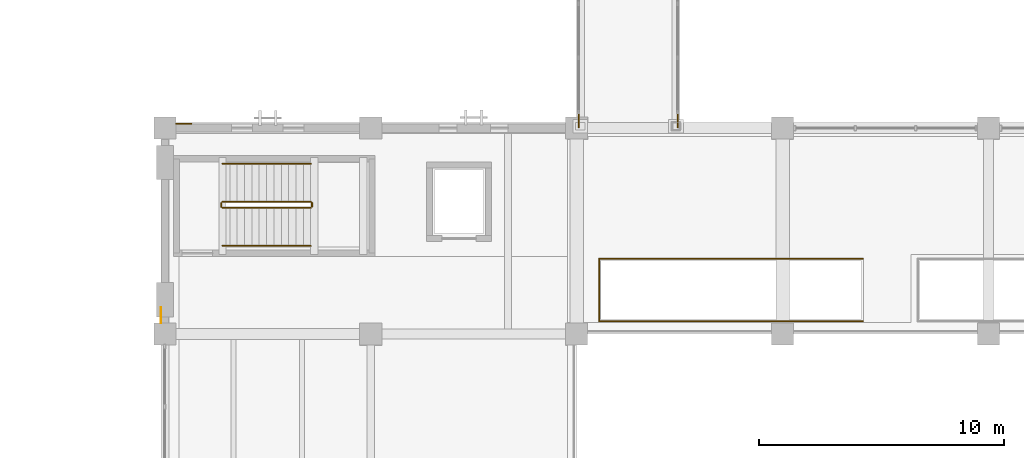
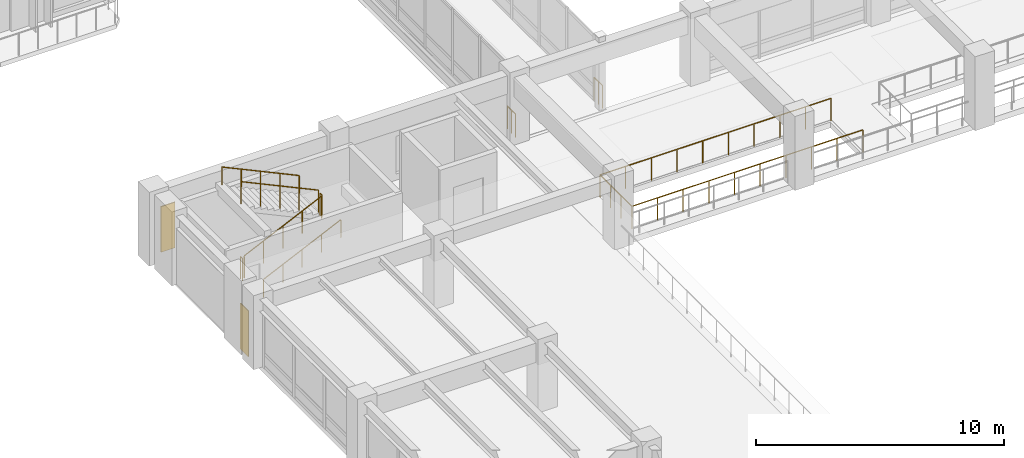
# One storey, part 92 of 118: 11 railings, 2 coverings.
"""IFC4 building model written with IfcOpenShell, lengths in metres."""

from ifc_helpers import new_model, si_unit, direction, frame, origin, origin_2d, place, context, subcontext, project, spatial, polyline, circle, outline, extrude, material, layer, layer_set, type_object, element, save


model = new_model("IFC4")

# Units and contexts
model_context = context("Model", 3, precision=1e-05, world=origin(), true_north=direction((0.0, 1.0)))
body_context = subcontext(model_context, "Body", "Model", "MODEL_VIEW")
ifc_project = project(units=[si_unit("LENGTHUNIT", "METRE"), si_unit("AREAUNIT", "SQUARE_METRE"), si_unit("VOLUMEUNIT", "CUBIC_METRE"), si_unit("PLANEANGLEUNIT", "RADIAN"), si_unit("MASSUNIT", "GRAM", prefix="KILO")], contexts=[model_context])

# Site, building, storey
site_placement = place(None, origin())
site = spatial("IfcSite", under=ifc_project, at=site_placement, CompositionType="ELEMENT")
building_placement = place(site_placement, origin())
building = spatial("IfcBuilding", under=site, at=building_placement, Name="Cumbredor Promenade Congress Hotel", CompositionType="ELEMENT")
storey_placement = place(building_placement, frame((0.0, 0.0, 3.919921875)))
storey = spatial("IfcBuildingStorey", under=building, at=storey_placement, Name="L01", CompositionType="ELEMENT", Elevation=3.919921875)

# Covering
ifc_material_1 = material(Name="Precast concrete C40/50", Category="concrete")
ifc_layer_1 = layer(ifc_material_1, 0.044921875, Name="Precast concrete C40/50", Category="concrete")
ifc_layer_set_1 = layer_set([ifc_layer_1], Name="Precast concrete C40/50")
covering_type_1 = type_object("IfcCoveringType", Name="Board-Formed Architectural Cladding Panel 45mm", PredefinedType="CLADDING", material=ifc_layer_set_1)
covering_1_placement = place(storey_placement, origin())
element("IfcCovering", 1, at=covering_1_placement, inside=storey, type_object=covering_type_1, Name="L01 Facade Stone Cladding Pier 048", PredefinedType="CLADDING", context=body_context, shape_type="SweptSolid", body=[
    extrude(outline(polyline([(8.85107421875, 67.362548828125), (9.5009765625, 67.362548828125), (9.5009765625, 67.407470703125), (8.85107421875, 67.407470703125), (8.85107421875, 67.362548828125)])), origin(), (0.0, 0.0, 1.0), 2.25),
])

# Railings
ifc_material_2 = material(Name="Brushed stainless steel", Category="steel")
railing_type_1 = type_object("IfcRailingType", Name="Interior Void & Stair Guardrail GR-1100", PredefinedType="GUARDRAIL", material=ifc_material_2)
railing_1_placement = place(storey_placement, frame((10.75, 63.949951171875, 0.14013671875)))
element("IfcRailing", 2, at=railing_1_placement, inside=storey, type_object=railing_type_1, Name="L01 ST-06 stair guard 1", PredefinedType="GUARDRAIL", context=body_context, shape_type="SweptSolid", body=[
    extrude(circle(Radius=0.02392578125, at=origin_2d()), frame((0.0, 0.0, 1.09619140625), z_axis=(0.906194129559, 0.0, 0.422861915468), x_axis=(0.0, 1.0, 0.0)), (0.0, 0.0, 1.0), 3.97265625),
    extrude(circle(Radius=0.02099609375, at=origin_2d()), origin(), (0.0, 0.0, 1.0), 1.072021484375),
    extrude(circle(Radius=0.02099609375, at=origin_2d()), frame((0.89990234375, 0.0, 0.419921875)), (0.0, 0.0, 1.0), 1.072021484375),
    extrude(circle(Radius=0.02099609375, at=origin_2d()), frame((1.800048828125, 0.0, 0.83984375)), (0.0, 0.0, 1.0), 1.072021484375),
    extrude(circle(Radius=0.02099609375, at=origin_2d()), frame((2.7001953125, 0.0, 1.260009765625)), (0.0, 0.0, 1.0), 1.072021484375),
    extrude(circle(Radius=0.02099609375, at=origin_2d()), frame((3.60009765625, 0.0, 1.679931640625)), (0.0, 0.0, 1.0), 1.072021484375),
])
railing_2_placement = place(storey_placement, frame((14.39990234375, 64.0, 1.820068359375)))
element("IfcRailing", 3, at=railing_2_placement, inside=storey, type_object=railing_type_1, Name="L01 ST-06 stair guard 2", PredefinedType="GUARDRAIL", context=body_context, shape_type="SweptSolid", body=[
    extrude(circle(Radius=0.02392578125, at=origin_2d()), frame((0.0, 0.0, 1.09619140625), z_axis=(0.0, 1.0, 0.0), x_axis=(-1.0, 0.0, 0.0)), (0.0, 0.0, 1.0), 0.14990234375),
    extrude(circle(Radius=0.02099609375, at=origin_2d()), origin(), (0.0, 0.0, 1.0), 1.072021484375),
    extrude(circle(Radius=0.02099609375, at=origin_2d()), frame((0.0, 0.14990234375, 0.0)), (0.0, 0.0, 1.0), 1.072021484375),
])
railing_3_placement = place(storey_placement, frame((14.35009765625, 64.199951171875, 1.9599609375)))
element("IfcRailing", 4, at=railing_3_placement, inside=storey, type_object=railing_type_1, Name="L01 ST-06 stair guard 3", PredefinedType="GUARDRAIL", context=body_context, shape_type="SweptSolid", body=[
    extrude(circle(Radius=0.02392578125, at=origin_2d()), frame((0.0, 0.0, 1.09619140625), z_axis=(-0.906170580071, 0.0, 0.422912378411), x_axis=(0.0, -1.0, 0.0)), (0.0, 0.0, 1.0), 3.972900390625),
    extrude(circle(Radius=0.02099609375, at=origin_2d()), origin(), (0.0, 0.0, 1.0), 1.072021484375),
    extrude(circle(Radius=0.02099609375, at=origin_2d()), frame((-0.89990234375, 0.0, 0.419921875)), (0.0, 0.0, 1.0), 1.072021484375),
    extrude(circle(Radius=0.02099609375, at=origin_2d()), frame((-1.800048828125, 0.0, 0.840087890625)), (0.0, 0.0, 1.0), 1.072021484375),
    extrude(circle(Radius=0.02099609375, at=origin_2d()), frame((-2.7001953125, 0.0, 1.26025390625)), (0.0, 0.0, 1.0), 1.072021484375),
    extrude(circle(Radius=0.02099609375, at=origin_2d()), frame((-3.60009765625, 0.0, 1.68017578125)), (0.0, 0.0, 1.0), 1.072021484375),
])
railing_4_placement = place(storey_placement, frame((10.699951171875, 64.0, 0.0)))
element("IfcRailing", 5, at=railing_4_placement, inside=storey, type_object=railing_type_1, Name="L01 ST-06 stair guard 4", PredefinedType="GUARDRAIL", context=body_context, shape_type="SweptSolid", body=[
    extrude(circle(Radius=0.02392578125, at=origin_2d()), frame((0.0, 0.0, 1.09619140625), z_axis=(0.0, 1.0, 0.0), x_axis=(-1.0, 0.0, 0.0)), (0.0, 0.0, 1.0), 0.14990234375),
    extrude(circle(Radius=0.02099609375, at=origin_2d()), origin(), (0.0, 0.0, 1.0), 1.072021484375),
    extrude(circle(Radius=0.02099609375, at=origin_2d()), frame((0.0, 0.14990234375, 0.0)), (0.0, 0.0, 1.0), 1.072021484375),
])
for number, where, name in (
    (6, (26.1201171875, 59.320068359375, 0.0), "L01 vm_02_well Void Perimeter Guardrail 1"),
    (7, (26.1201171875, 61.8798828125, 0.0), "L01 vm_02_well Void Perimeter Guardrail 2"),
):
    element("IfcRailing", number, at=place(storey_placement, frame(where)), inside=storey, type_object=railing_type_1, Name=name, PredefinedType="GUARDRAIL", context=body_context, shape_type="SweptSolid", body=[
        extrude(circle(Radius=0.02392578125, at=origin_2d()), frame((0.0, 0.0, 1.09619140625), z_axis=(1.0, 0.0, 0.0), x_axis=(0.0, 1.0, 0.0)), (0.0, 0.0, 1.0), 10.759765625),
        extrude(circle(Radius=0.02099609375, at=origin_2d()), origin(), (0.0, 0.0, 1.0), 1.072021484375),
        extrude(circle(Radius=0.02099609375, at=origin_2d()), frame((1.195556640625, 0.0, 0.0)), (0.0, 0.0, 1.0), 1.072021484375),
        extrude(circle(Radius=0.02099609375, at=origin_2d()), frame((2.39111328125, 0.0, 0.0)), (0.0, 0.0, 1.0), 1.072021484375),
        extrude(circle(Radius=0.02099609375, at=origin_2d()), frame((3.586669921875, 0.0, 0.0)), (0.0, 0.0, 1.0), 1.072021484375),
        extrude(circle(Radius=0.02099609375, at=origin_2d()), frame((4.7822265625, 0.0, 0.0)), (0.0, 0.0, 1.0), 1.072021484375),
        extrude(circle(Radius=0.02099609375, at=origin_2d()), frame((5.9775390625, 0.0, 0.0)), (0.0, 0.0, 1.0), 1.072021484375),
        extrude(circle(Radius=0.02099609375, at=origin_2d()), frame((7.173095703125, 0.0, 0.0)), (0.0, 0.0, 1.0), 1.072021484375),
        extrude(circle(Radius=0.02099609375, at=origin_2d()), frame((8.36865234375, 0.0, 0.0)), (0.0, 0.0, 1.0), 1.072021484375),
        extrude(circle(Radius=0.02099609375, at=origin_2d()), frame((9.564208984375, 0.0, 0.0)), (0.0, 0.0, 1.0), 1.072021484375),
        extrude(circle(Radius=0.02099609375, at=origin_2d()), frame((10.759765625, 0.0, 0.0)), (0.0, 0.0, 1.0), 1.072021484375),
    ])
railing_5_placement = place(storey_placement, frame((26.1201171875, 59.320068359375, 0.0)))
element("IfcRailing", 8, at=railing_5_placement, inside=storey, type_object=railing_type_1, Name="L01 vm_02_well Void Perimeter Guardrail 3", PredefinedType="GUARDRAIL", context=body_context, shape_type="SweptSolid", body=[
    extrude(circle(Radius=0.02392578125, at=origin_2d()), frame((0.0, 0.0, 1.09619140625), z_axis=(0.0, 1.0, 0.0), x_axis=(-1.0, 0.0, 0.0)), (0.0, 0.0, 1.0), 2.559814453125),
    extrude(circle(Radius=0.02099609375, at=origin_2d()), origin(), (0.0, 0.0, 1.0), 1.072021484375),
    extrude(circle(Radius=0.02099609375, at=origin_2d()), frame((0.0, 0.853271484375, 0.0)), (0.0, 0.0, 1.0), 1.072021484375),
    extrude(circle(Radius=0.02099609375, at=origin_2d()), frame((0.0, 1.70654296875, 0.0)), (0.0, 0.0, 1.0), 1.072021484375),
    extrude(circle(Radius=0.02099609375, at=origin_2d()), frame((0.0, 2.559814453125, 0.0)), (0.0, 0.0, 1.0), 1.072021484375),
])
railing_type_2 = type_object("IfcRailingType", Name="Sky Garden Glass-and-Steel Balustrade BAL-1150", PredefinedType="BALUSTRADE", material=ifc_material_2)
for number, where, name in (
    (9, (25.280029296875, 67.22998046875, 0.0), "L01 West Congress-to-Hotel Glazed Bridge End Guardrail SW"),
    (10, (29.320068359375, 67.22998046875, 0.0), "L01 West Congress-to-Hotel Glazed Bridge End Guardrail SE"),
):
    element("IfcRailing", number, at=place(storey_placement, frame(where)), inside=storey, type_object=railing_type_2, Name=name, PredefinedType="BALUSTRADE", context=body_context, shape_type="SweptSolid", body=[
        extrude(circle(Radius=0.02392578125, at=origin_2d()), frame((0.0, 0.0, 1.1259765625), z_axis=(0.0, 1.0, 0.0), x_axis=(-1.0, 0.0, 0.0)), (0.0, 0.0, 1.0), 0.669921875),
        extrude(circle(Radius=0.02099609375, at=origin_2d()), origin(), (0.0, 0.0, 1.0), 1.101806640625),
        extrude(circle(Radius=0.02099609375, at=origin_2d()), frame((0.0, 0.3349609375, 0.0)), (0.0, 0.0, 1.0), 1.101806640625),
        extrude(circle(Radius=0.02099609375, at=origin_2d()), frame((0.0, 0.669921875, 0.0)), (0.0, 0.0, 1.0), 1.101806640625),
    ])
railing_type_3 = type_object("IfcRailingType", Name="Stair Pitch Handrail HR-900", PredefinedType="HANDRAIL", material=ifc_material_2)
railing_6_placement = place(storey_placement, frame((10.75, 62.39990234375, 0.14013671875)))
element("IfcRailing", 11, at=railing_6_placement, inside=storey, type_object=railing_type_3, Name="L01 ST-06 stair handrail 1", PredefinedType="HANDRAIL", context=body_context, shape_type="SweptSolid", body=[
    extrude(circle(Radius=0.02392578125, at=origin_2d()), frame((0.0, 0.0, 0.8759765625), z_axis=(0.906194129559, 0.0, 0.422861915468), x_axis=(0.0, 1.0, 0.0)), (0.0, 0.0, 1.0), 3.97265625),
    extrude(circle(Radius=0.02099609375, at=origin_2d()), origin(), (0.0, 0.0, 1.0), 0.851806640625),
    extrude(circle(Radius=0.02099609375, at=origin_2d()), frame((0.89990234375, 0.0, 0.419921875)), (0.0, 0.0, 1.0), 0.851806640625),
    extrude(circle(Radius=0.02099609375, at=origin_2d()), frame((1.800048828125, 0.0, 0.83984375)), (0.0, 0.0, 1.0), 0.851806640625),
    extrude(circle(Radius=0.02099609375, at=origin_2d()), frame((2.7001953125, 0.0, 1.260009765625)), (0.0, 0.0, 1.0), 0.851806640625),
    extrude(circle(Radius=0.02099609375, at=origin_2d()), frame((3.60009765625, 0.0, 1.679931640625)), (0.0, 0.0, 1.0), 0.851806640625),
])
railing_7_placement = place(storey_placement, frame((14.35009765625, 65.75, 1.9599609375)))
element("IfcRailing", 12, at=railing_7_placement, inside=storey, type_object=railing_type_3, Name="L01 ST-06 stair handrail 2", PredefinedType="HANDRAIL", context=body_context, shape_type="SweptSolid", body=[
    extrude(circle(Radius=0.02392578125, at=origin_2d()), frame((0.0, 0.0, 0.8759765625), z_axis=(-0.906170580071, 0.0, 0.422912378411), x_axis=(0.0, -1.0, 0.0)), (0.0, 0.0, 1.0), 3.972900390625),
    extrude(circle(Radius=0.02099609375, at=origin_2d()), origin(), (0.0, 0.0, 1.0), 0.851806640625),
    extrude(circle(Radius=0.02099609375, at=origin_2d()), frame((-0.89990234375, 0.0, 0.419921875)), (0.0, 0.0, 1.0), 0.851806640625),
    extrude(circle(Radius=0.02099609375, at=origin_2d()), frame((-1.800048828125, 0.0, 0.840087890625)), (0.0, 0.0, 1.0), 0.851806640625),
    extrude(circle(Radius=0.02099609375, at=origin_2d()), frame((-2.7001953125, 0.0, 1.26025390625)), (0.0, 0.0, 1.0), 0.851806640625),
    extrude(circle(Radius=0.02099609375, at=origin_2d()), frame((-3.60009765625, 0.0, 1.68017578125)), (0.0, 0.0, 1.0), 0.851806640625),
])

# Covering
ifc_material_3 = material(Name="Volcanic andesite ashlar cladding", Category="masonry")
ifc_layer_2 = layer(ifc_material_3, 0.034912109375, Name="Volcanic andesite ashlar cladding", Category="masonry")
ifc_layer_set_2 = layer_set([ifc_layer_2], Name="Volcanic andesite ashlar cladding")
covering_type_2 = type_object("IfcCoveringType", Name="Volcanic Andesite Ashlar Rainscreen Cladding 35mm", PredefinedType="CLADDING", material=ifc_layer_set_2)
covering_2_placement = place(storey_placement, origin())
element("IfcCovering", 13, at=covering_2_placement, inside=storey, type_object=covering_type_2, Name="L01 Facade Stone Cladding Pier 051", PredefinedType="CLADDING", context=body_context, shape_type="SweptSolid", body=[
    extrude(outline(polyline([(8.260009765625, 59.2509765625), (8.260009765625, 59.90087890625), (8.22509765625, 59.90087890625), (8.22509765625, 59.2509765625), (8.260009765625, 59.2509765625)])), origin(), (0.0, 0.0, 1.0), 2.25),
])

save(model, "model.ifc")
